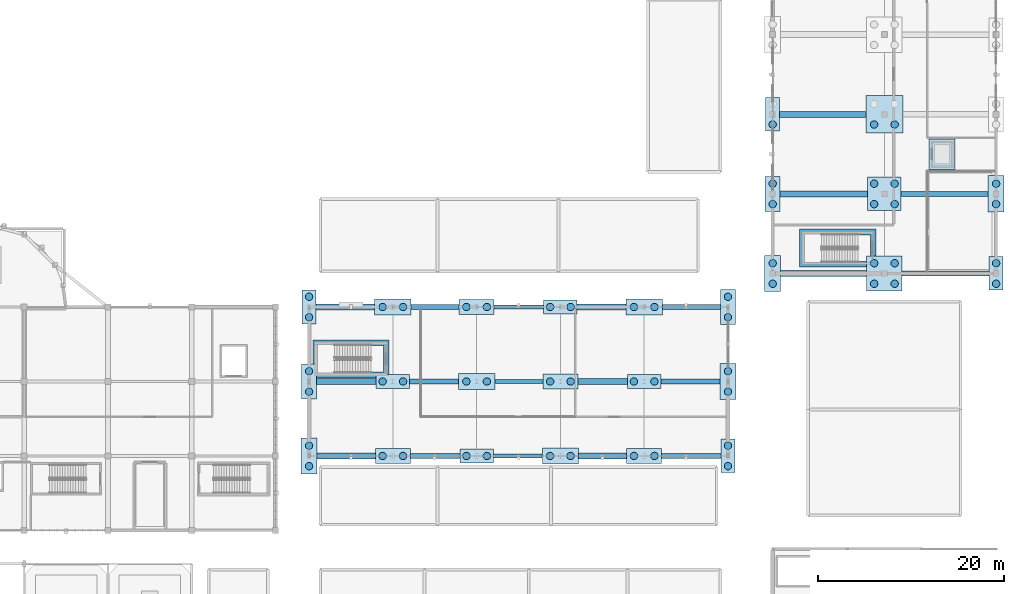
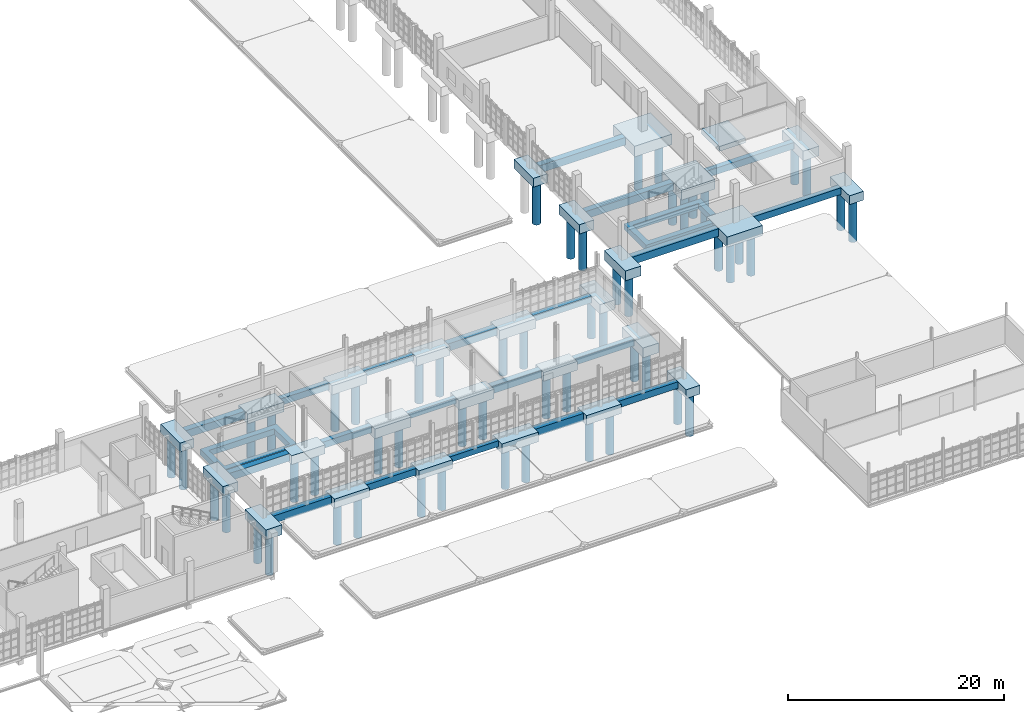
# One storey, part 1 of 125: 55 piles, 49 footings.
"""IFC4 building model written with IfcOpenShell, lengths in metres."""

from ifc_helpers import new_model, si_unit, direction, frame, origin, origin_2d, place, context, subcontext, project, spatial, polyline, rectangle, circle, outline, extrude, material, material_profile, profile_set, type_object, element, save


model = new_model("IFC4")

# Units and contexts
model_context = context("Model", 3, precision=1e-05, world=origin(), true_north=direction((0.0, 1.0)))
body_context = subcontext(model_context, "Body", "Model", "MODEL_VIEW")
ifc_project = project(units=[si_unit("LENGTHUNIT", "METRE"), si_unit("AREAUNIT", "SQUARE_METRE"), si_unit("VOLUMEUNIT", "CUBIC_METRE"), si_unit("PLANEANGLEUNIT", "RADIAN"), si_unit("MASSUNIT", "GRAM", prefix="KILO")], contexts=[model_context])

# Site, building, storey
site_placement = place(None, origin())
site = spatial("IfcSite", under=ifc_project, at=site_placement, CompositionType="ELEMENT")
building_placement = place(site_placement, origin())
building = spatial("IfcBuilding", under=site, at=building_placement, Name="Serraforn Aerial Cableway Station", CompositionType="ELEMENT")
storey_placement = place(building_placement, frame((0.0, 0.0, 4.5)))
storey = spatial("IfcBuildingStorey", under=building, at=storey_placement, Name="L01", CompositionType="ELEMENT", Elevation=4.5)

# Footings
ifc_material = material(Name="Concrete C35/45", Category="concrete")
footing_type_1 = type_object("IfcFootingType", Name="FT-FB-450x650", PredefinedType="FOOTING_BEAM", material=ifc_material)
footing_1_placement = place(storey_placement, frame((0.0, 0.0, -0.64990234375)))
element("IfcFooting", 1, at=footing_1_placement, inside=storey, type_object=footing_type_1, Name="Footing Tie Beam EL Y=26.0 #3", PredefinedType="FOOTING_BEAM", context=body_context, shape_type="SweptSolid", body=[
    extrude(outline(polyline([(119.2451171875, 26.22509765625), (119.2451171875, 25.77490234375), (114.0048828125, 25.77490234375), (114.0048828125, 26.22509765625), (119.2451171875, 26.22509765625)])), origin(), (0.0, 0.0, 1.0), 0.64990234375),
])
footing_2_placement = place(storey_placement, frame((0.0, 0.0, -0.64990234375)))
element("IfcFooting", 2, at=footing_2_placement, inside=storey, type_object=footing_type_1, Name="Footing Tie Beam EL Y=34.0 #3", PredefinedType="FOOTING_BEAM", context=body_context, shape_type="SweptSolid", body=[
    extrude(outline(polyline([(119.320068359375, 34.22509765625), (119.320068359375, 33.77490234375), (114.155029296875, 33.77490234375), (114.155029296875, 34.22509765625), (119.320068359375, 34.22509765625)])), origin(), (0.0, 0.0, 1.0), 0.64990234375),
])
footing_3_placement = place(storey_placement, frame((0.0, 0.0, -0.64990234375)))
element("IfcFooting", 3, at=footing_3_placement, inside=storey, type_object=footing_type_1, Name="Footing Tie Beam EL Y=42.0 #3", PredefinedType="FOOTING_BEAM", context=body_context, shape_type="SweptSolid", body=[
    extrude(outline(polyline([(119.39501953125, 42.22509765625), (119.39501953125, 41.77490234375), (114.080078125, 41.77490234375), (114.080078125, 42.22509765625), (119.39501953125, 42.22509765625)])), origin(), (0.0, 0.0, 1.0), 0.64990234375),
])
footing_type_2 = type_object("IfcFootingType", Name="FT-FB-550x750", PredefinedType="FOOTING_BEAM", material=ifc_material)
footing_4_placement = place(storey_placement, frame((0.0, 0.0, -0.75)))
element("IfcFooting", 4, at=footing_4_placement, inside=storey, type_object=footing_type_2, Name="Footing Tie Beam EL Y=26.0 #2", PredefinedType="FOOTING_BEAM", context=body_context, shape_type="SweptSolid", body=[
    extrude(outline(polyline([(110.39501953125, 26.27490234375), (110.39501953125, 25.72509765625), (105.080078125, 25.72509765625), (105.080078125, 26.27490234375), (110.39501953125, 26.27490234375)])), origin(), (0.0, 0.0, 1.0), 0.75),
])
footing_5_placement = place(storey_placement, frame((0.0, 0.0, -0.75)))
element("IfcFooting", 5, at=footing_5_placement, inside=storey, type_object=footing_type_2, Name="Footing Tie Beam EL Y=26.0 #5", PredefinedType="FOOTING_BEAM", context=body_context, shape_type="SweptSolid", body=[
    extrude(outline(polyline([(138.445068359375, 26.27490234375), (138.445068359375, 25.72509765625), (132.080078125, 25.72509765625), (132.080078125, 26.27490234375), (138.445068359375, 26.27490234375)])), origin(), (0.0, 0.0, 1.0), 0.75),
])
footing_6_placement = place(storey_placement, frame((0.0, 0.0, -0.75)))
element("IfcFooting", 6, at=footing_6_placement, inside=storey, type_object=footing_type_2, Name="Footing Tie Beam EL Y=34.0 #2", PredefinedType="FOOTING_BEAM", context=body_context, shape_type="SweptSolid", body=[
    extrude(outline(polyline([(110.2451171875, 34.27490234375), (110.2451171875, 33.72509765625), (105.0048828125, 33.72509765625), (105.0048828125, 34.27490234375), (110.2451171875, 34.27490234375)])), origin(), (0.0, 0.0, 1.0), 0.75),
])
footing_7_placement = place(storey_placement, frame((0.0, 0.0, -0.75)))
element("IfcFooting", 7, at=footing_7_placement, inside=storey, type_object=footing_type_2, Name="Footing Tie Beam EL Y=34.0 #5", PredefinedType="FOOTING_BEAM", context=body_context, shape_type="SweptSolid", body=[
    extrude(outline(polyline([(138.344970703125, 34.27490234375), (138.344970703125, 33.72509765625), (132.0048828125, 33.72509765625), (132.0048828125, 34.27490234375), (138.344970703125, 34.27490234375)])), origin(), (0.0, 0.0, 1.0), 0.75),
])
footing_8_placement = place(storey_placement, frame((0.0, 0.0, -0.75)))
element("IfcFooting", 8, at=footing_8_placement, inside=storey, type_object=footing_type_2, Name="Footing Tie Beam EL Y=42.0 #2", PredefinedType="FOOTING_BEAM", context=body_context, shape_type="SweptSolid", body=[
    extrude(outline(polyline([(110.320068359375, 42.27490234375), (110.320068359375, 41.72509765625), (105.155029296875, 41.72509765625), (105.155029296875, 42.27490234375), (110.320068359375, 42.27490234375)])), origin(), (0.0, 0.0, 1.0), 0.75),
])
footing_9_placement = place(storey_placement, frame((0.0, 0.0, -0.75)))
element("IfcFooting", 9, at=footing_9_placement, inside=storey, type_object=footing_type_2, Name="Footing Tie Beam EL Y=42.0 #5", PredefinedType="FOOTING_BEAM", context=body_context, shape_type="SweptSolid", body=[
    extrude(outline(polyline([(138.39501953125, 42.27490234375), (138.39501953125, 41.72509765625), (132.155029296875, 41.72509765625), (132.155029296875, 42.27490234375), (138.39501953125, 42.27490234375)])), origin(), (0.0, 0.0, 1.0), 0.75),
])
footing_10_placement = place(storey_placement, frame((0.0, 0.0, -0.75)))
element("IfcFooting", 10, at=footing_10_placement, inside=storey, type_object=footing_type_2, Name="Footing Tie Beam EG Y=45.6 #2", PredefinedType="FOOTING_BEAM", context=body_context, shape_type="SweptSolid", body=[
    extrude(outline(polyline([(167.2451171875, 45.875), (167.2451171875, 45.324951171875), (157.905029296875, 45.324951171875), (157.905029296875, 45.875), (167.2451171875, 45.875)])), origin(), (0.0, 0.0, 1.0), 0.75),
])
footing_11_placement = place(storey_placement, frame((0.0, 0.0, -0.75)))
element("IfcFooting", 11, at=footing_11_placement, inside=storey, type_object=footing_type_2, Name="Footing Tie Beam EG Y=54.1 #2", PredefinedType="FOOTING_BEAM", context=body_context, shape_type="SweptSolid", body=[
    extrude(outline(polyline([(167.14501953125, 54.425048828125), (167.14501953125, 53.875), (157.804931640625, 53.875), (157.804931640625, 54.425048828125), (167.14501953125, 54.425048828125)])), origin(), (0.0, 0.0, 1.0), 0.75),
])
footing_type_3 = type_object("IfcFootingType", Name="FT-FB-650x850", PredefinedType="FOOTING_BEAM", material=ifc_material)
footing_12_placement = place(storey_placement, frame((0.0, 0.0, -0.85009765625)))
element("IfcFooting", 12, at=footing_12_placement, inside=storey, type_object=footing_type_3, Name="Footing Tie Beam EL Y=26.0 #1", PredefinedType="FOOTING_BEAM", context=body_context, shape_type="SweptSolid", body=[
    extrude(outline(polyline([(101.320068359375, 26.324951171875), (101.320068359375, 25.675048828125), (95.054931640625, 25.675048828125), (95.054931640625, 26.324951171875), (101.320068359375, 26.324951171875)])), origin(), (0.0, 0.0, 1.0), 0.85009765625),
])
footing_13_placement = place(storey_placement, frame((0.0, 0.0, -0.85009765625)))
element("IfcFooting", 13, at=footing_13_placement, inside=storey, type_object=footing_type_3, Name="Footing Tie Beam EL Y=26.0 #4", PredefinedType="FOOTING_BEAM", context=body_context, shape_type="SweptSolid", body=[
    extrude(outline(polyline([(128.320068359375, 26.324951171875), (128.320068359375, 25.675048828125), (123.155029296875, 25.675048828125), (123.155029296875, 26.324951171875), (128.320068359375, 26.324951171875)])), origin(), (0.0, 0.0, 1.0), 0.85009765625),
])
footing_14_placement = place(storey_placement, frame((0.0, 0.0, -0.85009765625)))
element("IfcFooting", 14, at=footing_14_placement, inside=storey, type_object=footing_type_3, Name="Footing Tie Beam EL Y=34.0 #1", PredefinedType="FOOTING_BEAM", context=body_context, shape_type="SweptSolid", body=[
    extrude(outline(polyline([(101.39501953125, 34.324951171875), (101.39501953125, 33.675048828125), (95.0048828125, 33.675048828125), (95.0048828125, 34.324951171875), (101.39501953125, 34.324951171875)])), origin(), (0.0, 0.0, 1.0), 0.85009765625),
])
footing_15_placement = place(storey_placement, frame((0.0, 0.0, -0.85009765625)))
element("IfcFooting", 15, at=footing_15_placement, inside=storey, type_object=footing_type_3, Name="Footing Tie Beam EL Y=34.0 #4", PredefinedType="FOOTING_BEAM", context=body_context, shape_type="SweptSolid", body=[
    extrude(outline(polyline([(128.39501953125, 34.324951171875), (128.39501953125, 33.675048828125), (123.080078125, 33.675048828125), (123.080078125, 34.324951171875), (128.39501953125, 34.324951171875)])), origin(), (0.0, 0.0, 1.0), 0.85009765625),
])
footing_16_placement = place(storey_placement, frame((0.0, 0.0, -0.85009765625)))
element("IfcFooting", 16, at=footing_16_placement, inside=storey, type_object=footing_type_3, Name="Footing Tie Beam EL Y=42.0 #1", PredefinedType="FOOTING_BEAM", context=body_context, shape_type="SweptSolid", body=[
    extrude(outline(polyline([(101.2451171875, 42.324951171875), (101.2451171875, 41.675048828125), (94.955078125, 41.675048828125), (94.955078125, 42.324951171875), (101.2451171875, 42.324951171875)])), origin(), (0.0, 0.0, 1.0), 0.85009765625),
])
footing_17_placement = place(storey_placement, frame((0.0, 0.0, -0.85009765625)))
element("IfcFooting", 17, at=footing_17_placement, inside=storey, type_object=footing_type_3, Name="Footing Tie Beam EL Y=42.0 #4", PredefinedType="FOOTING_BEAM", context=body_context, shape_type="SweptSolid", body=[
    extrude(outline(polyline([(128.2451171875, 42.324951171875), (128.2451171875, 41.675048828125), (123.0048828125, 41.675048828125), (123.0048828125, 42.324951171875), (128.2451171875, 42.324951171875)])), origin(), (0.0, 0.0, 1.0), 0.85009765625),
])
footing_18_placement = place(storey_placement, frame((0.0, 0.0, -0.85009765625)))
element("IfcFooting", 18, at=footing_18_placement, inside=storey, type_object=footing_type_3, Name="Footing Tie Beam EG Y=45.6 #1", PredefinedType="FOOTING_BEAM", context=body_context, shape_type="SweptSolid", body=[
    extrude(outline(polyline([(154.094970703125, 45.925048828125), (154.094970703125, 45.27490234375), (144.85498046875, 45.27490234375), (144.85498046875, 45.925048828125), (154.094970703125, 45.925048828125)])), origin(), (0.0, 0.0, 1.0), 0.85009765625),
])
footing_19_placement = place(storey_placement, frame((0.0, 0.0, -0.85009765625)))
element("IfcFooting", 19, at=footing_19_placement, inside=storey, type_object=footing_type_3, Name="Footing Tie Beam EG Y=54.1 #1", PredefinedType="FOOTING_BEAM", context=body_context, shape_type="SweptSolid", body=[
    extrude(outline(polyline([(154.195068359375, 54.47509765625), (154.195068359375, 53.824951171875), (144.804931640625, 53.824951171875), (144.804931640625, 54.47509765625), (154.195068359375, 54.47509765625)])), origin(), (0.0, 0.0, 1.0), 0.85009765625),
])
footing_20_placement = place(storey_placement, frame((0.0, 0.0, -0.85009765625)))
element("IfcFooting", 20, at=footing_20_placement, inside=storey, type_object=footing_type_3, Name="Footing Tie Beam EG Y=62.7 #1", PredefinedType="FOOTING_BEAM", context=body_context, shape_type="SweptSolid", body=[
    extrude(outline(polyline([(153.9951171875, 63.02490234375), (153.9951171875, 62.375), (144.7548828125, 62.375), (144.7548828125, 63.02490234375), (153.9951171875, 63.02490234375)])), origin(), (0.0, 0.0, 1.0), 0.85009765625),
])
footing_type_4 = type_object("IfcFootingType", Name="FT-PC2-150x360", PredefinedType="PILE_CAP", material=ifc_material)
for number, where, z_axis, x_axis, name in (
    (21, (94.199951171875, 42.0, -1.0), (0.0, 0.0, 1.0), (1.0, 0.0, 0.0), "Pile Cap EL-13-F"),
    (22, (139.199951171875, 26.0, -1.0), (0.0, 0.0, 1.0), (1.0, 0.0, 0.0), "Pile Cap EL-18-D1"),
    (23, (144.0, 62.699951171875, -1.0), (0.0, 0.0, 1.0), (1.0, 0.0, 0.0), "Pile Cap EG-19-H"),
    (24, (168.0, 45.60009765625, -1.0), (0.0, 0.0, 1.0), (1.0, 0.0, 0.0), "Pile Cap EG-22-F2"),
):
    element("IfcFooting", number, at=place(storey_placement, frame(where, z_axis=z_axis, x_axis=x_axis)), inside=storey, type_object=footing_type_4, Name=name, PredefinedType="PILE_CAP", context=body_context, shape_type="SweptSolid", body=[
        extrude(rectangle(XDim=1.5, YDim=3.60009765625, at=origin_2d()), origin(), (0.0, 0.0, 1.0), 1.0),
    ])
footing_type_5 = type_object("IfcFootingType", Name="FT-PC2-160x375", PredefinedType="PILE_CAP", material=ifc_material)
for number, where, z_axis, x_axis, name in (
    (25, (94.199951171875, 34.0, -1.0498046875), (0.0, 0.0, 1.0), (1.0, 0.0, 0.0), "Pile Cap EL-13-D2"),
    (26, (139.199951171875, 42.0, -1.0498046875), (0.0, 0.0, 1.0), (1.0, 0.0, 0.0), "Pile Cap EL-18-F"),
    (27, (144.0, 54.14990234375, -1.0498046875), (0.0, 0.0, 1.0), (1.0, 0.0, 0.0), "Pile Cap EG-19-G"),
):
    element("IfcFooting", number, at=place(storey_placement, frame(where, z_axis=z_axis, x_axis=x_axis)), inside=storey, type_object=footing_type_5, Name=name, PredefinedType="PILE_CAP", context=body_context, shape_type="SweptSolid", body=[
        extrude(rectangle(XDim=1.60009765625, YDim=3.75, at=origin_2d()), origin(), (0.0, 0.0, 1.0), 1.050048828125),
    ])
footing_type_6 = type_object("IfcFootingType", Name="FT-PC2-170x390", PredefinedType="PILE_CAP", material=ifc_material)
for number, where, z_axis, x_axis, name in (
    (28, (94.199951171875, 26.0, -1.10009765625), (0.0, 0.0, 1.0), (1.0, 0.0, 0.0), "Pile Cap EL-13-D1"),
    (29, (139.199951171875, 34.0, -1.10009765625), (0.0, 0.0, 1.0), (1.0, 0.0, 0.0), "Pile Cap EL-18-D2"),
    (30, (144.0, 45.60009765625, -1.10009765625), (0.0, 0.0, 1.0), (1.0, 0.0, 0.0), "Pile Cap EG-19-F2"),
    (31, (168.0, 54.14990234375, -1.10009765625), (0.0, 0.0, 1.0), (1.0, 0.0, 0.0), "Pile Cap EG-22-G"),
):
    element("IfcFooting", number, at=place(storey_placement, frame(where, z_axis=z_axis, x_axis=x_axis)), inside=storey, type_object=footing_type_6, Name=name, PredefinedType="PILE_CAP", context=body_context, shape_type="SweptSolid", body=[
        extrude(rectangle(XDim=1.699951171875, YDim=3.89990234375, at=origin_2d()), origin(), (0.0, 0.0, 1.0), 1.10009765625),
    ])
footing_type_7 = type_object("IfcFootingType", Name="FT-PC2-360x150", PredefinedType="PILE_CAP", material=ifc_material)
for number, where, z_axis, x_axis, name in (
    (32, (103.199951171875, 34.0, -1.0), (0.0, 0.0, 1.0), (1.0, 0.0, 0.0), "Pile Cap EL-14-D2"),
    (33, (112.199951171875, 26.0, -1.0), (0.0, 0.0, 1.0), (1.0, 0.0, 0.0), "Pile Cap EL-15-D1"),
    (34, (121.199951171875, 42.0, -1.0), (0.0, 0.0, 1.0), (1.0, 0.0, 0.0), "Pile Cap EL-16-F"),
    (35, (130.199951171875, 34.0, -1.0), (0.0, 0.0, 1.0), (1.0, 0.0, 0.0), "Pile Cap EL-17-D2"),
):
    element("IfcFooting", number, at=place(storey_placement, frame(where, z_axis=z_axis, x_axis=x_axis)), inside=storey, type_object=footing_type_7, Name=name, PredefinedType="PILE_CAP", context=body_context, shape_type="SweptSolid", body=[
        extrude(rectangle(XDim=3.60009765625, YDim=1.5, at=origin_2d()), origin(), (0.0, 0.0, 1.0), 1.0),
    ])
footing_type_8 = type_object("IfcFootingType", Name="FT-PC2-375x160", PredefinedType="PILE_CAP", material=ifc_material)
for number, where, z_axis, x_axis, name in (
    (36, (103.199951171875, 26.0, -1.0498046875), (0.0, 0.0, 1.0), (1.0, 0.0, 0.0), "Pile Cap EL-14-D1"),
    (37, (112.199951171875, 42.0, -1.0498046875), (0.0, 0.0, 1.0), (1.0, 0.0, 0.0), "Pile Cap EL-15-F"),
    (38, (121.199951171875, 34.0, -1.0498046875), (0.0, 0.0, 1.0), (1.0, 0.0, 0.0), "Pile Cap EL-16-D2"),
    (39, (130.199951171875, 26.0, -1.0498046875), (0.0, 0.0, 1.0), (1.0, 0.0, 0.0), "Pile Cap EL-17-D1"),
):
    element("IfcFooting", number, at=place(storey_placement, frame(where, z_axis=z_axis, x_axis=x_axis)), inside=storey, type_object=footing_type_8, Name=name, PredefinedType="PILE_CAP", context=body_context, shape_type="SweptSolid", body=[
        extrude(rectangle(XDim=3.75, YDim=1.60009765625, at=origin_2d()), origin(), (0.0, 0.0, 1.0), 1.050048828125),
    ])
footing_type_9 = type_object("IfcFootingType", Name="FT-PC2-390x170", PredefinedType="PILE_CAP", material=ifc_material)
for number, where, z_axis, x_axis, name in (
    (40, (103.199951171875, 42.0, -1.10009765625), (0.0, 0.0, 1.0), (1.0, 0.0, 0.0), "Pile Cap EL-14-F"),
    (41, (112.199951171875, 34.0, -1.10009765625), (0.0, 0.0, 1.0), (1.0, 0.0, 0.0), "Pile Cap EL-15-D2"),
    (42, (121.199951171875, 26.0, -1.10009765625), (0.0, 0.0, 1.0), (1.0, 0.0, 0.0), "Pile Cap EL-16-D1"),
    (43, (130.199951171875, 42.0, -1.10009765625), (0.0, 0.0, 1.0), (1.0, 0.0, 0.0), "Pile Cap EL-17-F"),
):
    element("IfcFooting", number, at=place(storey_placement, frame(where, z_axis=z_axis, x_axis=x_axis)), inside=storey, type_object=footing_type_9, Name=name, PredefinedType="PILE_CAP", context=body_context, shape_type="SweptSolid", body=[
        extrude(rectangle(XDim=3.89990234375, YDim=1.699951171875, at=origin_2d()), origin(), (0.0, 0.0, 1.0), 1.10009765625),
    ])
footing_type_10 = type_object("IfcFootingType", Name="FT-PC4-360", PredefinedType="PILE_CAP", material=ifc_material)
footing_21_placement = place(storey_placement, frame((156.0, 54.14990234375, -1.10009765625), z_axis=(0.0, 0.0, 1.0), x_axis=(1.0, 0.0, 0.0)))
element("IfcFooting", 44, at=footing_21_placement, inside=storey, type_object=footing_type_10, Name="Pile Cap EG-20B-G", PredefinedType="PILE_CAP", context=body_context, shape_type="SweptSolid", body=[
    extrude(rectangle(XDim=3.60009765625, YDim=3.60009765625, at=origin_2d()), origin(), (0.0, 0.0, 1.0), 1.10009765625),
])
footing_type_11 = type_object("IfcFootingType", Name="FT-PC4-380", PredefinedType="PILE_CAP", material=ifc_material)
footing_22_placement = place(storey_placement, frame((156.0, 45.60009765625, -1.14990234375), z_axis=(0.0, 0.0, 1.0), x_axis=(1.0, 0.0, 0.0)))
element("IfcFooting", 45, at=footing_22_placement, inside=storey, type_object=footing_type_11, Name="Pile Cap EG-20B-F2", PredefinedType="PILE_CAP", context=body_context, shape_type="SweptSolid", body=[
    extrude(rectangle(XDim=3.800048828125, YDim=3.800048828125, at=origin_2d()), origin(), (0.0, 0.0, 1.0), 1.14990234375),
])
footing_type_12 = type_object("IfcFootingType", Name="FT-PC4-400", PredefinedType="PILE_CAP", material=ifc_material)
footing_23_placement = place(storey_placement, frame((156.0, 62.699951171875, -1.2001953125), z_axis=(0.0, 0.0, 1.0), x_axis=(1.0, 0.0, 0.0)))
element("IfcFooting", 46, at=footing_23_placement, inside=storey, type_object=footing_type_12, Name="Pile Cap EG-20B-H", PredefinedType="PILE_CAP", context=body_context, shape_type="SweptSolid", body=[
    extrude(rectangle(XDim=4.0, YDim=4.0, at=origin_2d()), origin(), (0.0, 0.0, 1.0), 1.199951171875),
])
footing_type_13 = type_object("IfcFootingType", Name="FT-SF-750x550", PredefinedType="STRIP_FOOTING", material=ifc_material)
footing_24_placement = place(storey_placement, frame((0.0, 0.0, -0.550048828125)))
element("IfcFooting", 47, at=footing_24_placement, inside=storey, type_object=footing_type_13, Name="Lift Pit Foundation Mat LF-06", PredefinedType="STRIP_FOOTING", context=body_context, shape_type="SweptSolid", body=[
    extrude(outline(polyline([(160.800048828125, 56.75), (160.800048828125, 60.050048828125), (163.60009765625, 60.050048828125), (163.60009765625, 56.75), (160.800048828125, 56.75)])), origin(), (0.0, 0.0, 1.0), 0.550048828125),
])
footing_type_14 = type_object("IfcFootingType", Name="FT-SF-900x650", PredefinedType="STRIP_FOOTING", material=ifc_material)
footing_25_placement = place(storey_placement, frame((0.0, 0.0, -0.64990234375)))
element("IfcFooting", 48, at=footing_25_placement, inside=storey, type_object=footing_type_14, Name="Stair Core Strip Footing ST-08", PredefinedType="STRIP_FOOTING", context=body_context, shape_type="SweptSolid", body=[
    extrude(outline(polyline([(95.0048828125, 34.39990234375), (95.0048828125, 35.8798828125), (94.60009765625, 35.8798828125), (94.60009765625, 38.4599609375), (102.800048828125, 38.4599609375), (102.800048828125, 34.7548828125), (101.39501953125, 34.7548828125), (101.39501953125, 34.39990234375), (95.0048828125, 34.39990234375)]), holes=[polyline([(102.199951171875, 35.0), (102.199951171875, 37.860107421875), (95.199951171875, 37.860107421875), (95.199951171875, 35.0), (102.199951171875, 35.0)])]), origin(), (0.0, 0.0, 1.0), 0.64990234375),
])
footing_26_placement = place(storey_placement, frame((0.0, 0.0, -0.64990234375)))
element("IfcFooting", 49, at=footing_26_placement, inside=storey, type_object=footing_type_14, Name="Stair Core Strip Footing ST-10", PredefinedType="STRIP_FOOTING", context=body_context, shape_type="SweptSolid", body=[
    extrude(outline(polyline([(146.89990234375, 46.300048828125), (146.89990234375, 50.360107421875), (155.10009765625, 50.360107421875), (155.10009765625, 47.5048828125), (154.5, 47.5048828125), (154.5, 49.760009765625), (147.5, 49.760009765625), (147.5, 46.89990234375), (154.094970703125, 46.89990234375), (154.094970703125, 46.300048828125), (146.89990234375, 46.300048828125)])), origin(), (0.0, 0.0, 1.0), 0.64990234375),
])

# Piles
ifc_material_profile_1 = material_profile(ifc_material, circle(Radius=0.39990234375, at=origin_2d()), Name="BORED PILE D800")
ifc_profile_set_1 = profile_set([ifc_material_profile_1], Name="Concrete C35/45")
pile_type_1 = type_object("IfcPileType", Name="PL-BORED-800A", PredefinedType="BORED", material=ifc_profile_set_1)
for number, where, z_axis, x_axis, name in (
    (50, (94.199951171875, 24.89990234375, -1.0), (0.0, 0.0, -1.0), (1.0, 0.0, 0.0), "Bored Pile EL-13-D1-1"),
    (51, (94.199951171875, 27.10009765625, -1.0), (0.0, 0.0, -1.0), (1.0, 0.0, 0.0), "Bored Pile EL-13-D1-2"),
):
    element("IfcPile", number, at=place(storey_placement, frame(where, z_axis=z_axis, x_axis=x_axis)), inside=storey, type_object=pile_type_1, Name=name, PredefinedType="BORED", context=body_context, shape_type="SweptSolid", body=[
        extrude(circle(Radius=0.39990234375, at=origin_2d()), origin(), (0.0, 0.0, 1.0), 4.699951171875),
    ])
for number, where, z_axis, x_axis, name in (
    (52, (111.10009765625, 42.0, -0.949951171875), (0.0, 0.0, -1.0), (1.0, 0.0, 0.0), "Bored Pile EL-15-F-1"),
    (53, (113.300048828125, 42.0, -0.949951171875), (0.0, 0.0, -1.0), (1.0, 0.0, 0.0), "Bored Pile EL-15-F-2"),
    (54, (120.10009765625, 34.0, -0.949951171875), (0.0, 0.0, -1.0), (1.0, 0.0, 0.0), "Bored Pile EL-16-D2-1"),
    (55, (122.300048828125, 34.0, -0.949951171875), (0.0, 0.0, -1.0), (1.0, 0.0, 0.0), "Bored Pile EL-16-D2-2"),
    (56, (129.10009765625, 26.0, -0.949951171875), (0.0, 0.0, -1.0), (1.0, 0.0, 0.0), "Bored Pile EL-17-D1-1"),
    (57, (131.300048828125, 26.0, -0.949951171875), (0.0, 0.0, -1.0), (1.0, 0.0, 0.0), "Bored Pile EL-17-D1-2"),
):
    element("IfcPile", number, at=place(storey_placement, frame(where, z_axis=z_axis, x_axis=x_axis)), inside=storey, type_object=pile_type_1, Name=name, PredefinedType="BORED", context=body_context, shape_type="SweptSolid", body=[
        extrude(circle(Radius=0.39990234375, at=origin_2d()), origin(), (0.0, 0.0, 1.0), 4.75),
    ])
for number, where, z_axis, x_axis, name in (
    (58, (144.0, 44.5, -1.0), (0.0, 0.0, -1.0), (1.0, 0.0, 0.0), "Bored Pile EG-19-F2-1"),
    (59, (144.0, 46.699951171875, -1.0), (0.0, 0.0, -1.0), (1.0, 0.0, 0.0), "Bored Pile EG-19-F2-2"),
):
    element("IfcPile", number, at=place(storey_placement, frame(where, z_axis=z_axis, x_axis=x_axis)), inside=storey, type_object=pile_type_1, Name=name, PredefinedType="BORED", context=body_context, shape_type="SweptSolid", body=[
        extrude(circle(Radius=0.39990234375, at=origin_2d()), origin(), (0.0, 0.0, 1.0), 4.699951171875),
    ])
for number, where, z_axis, x_axis, name in (
    (60, (154.89990234375, 61.60009765625, -1.10009765625), (0.0, 0.0, -1.0), (1.0, 0.0, 0.0), "Bored Pile EG-20B-H-1"),
    (61, (157.10009765625, 61.60009765625, -1.10009765625), (0.0, 0.0, -1.0), (1.0, 0.0, 0.0), "Bored Pile EG-20B-H-2"),
):
    element("IfcPile", number, at=place(storey_placement, frame(where, z_axis=z_axis, x_axis=x_axis)), inside=storey, type_object=pile_type_1, Name=name, PredefinedType="BORED", context=body_context, shape_type="SweptSolid", body=[
        extrude(circle(Radius=0.39990234375, at=origin_2d()), origin(), (0.0, 0.0, 1.0), 4.60009765625),
    ])
ifc_material_profile_2 = material_profile(ifc_material, circle(Radius=0.39990234375, at=origin_2d()), Name="BORED PILE D800")
ifc_profile_set_2 = profile_set([ifc_material_profile_2], Name="Concrete C35/45")
pile_type_2 = type_object("IfcPileType", Name="PL-BORED-800B", PredefinedType="BORED", material=ifc_profile_set_2)
for number, where, z_axis, x_axis, name in (
    (62, (94.199951171875, 32.89990234375, -0.949951171875), (0.0, 0.0, -1.0), (1.0, 0.0, 0.0), "Bored Pile EL-13-D2-1"),
    (63, (94.199951171875, 35.10009765625, -0.949951171875), (0.0, 0.0, -1.0), (1.0, 0.0, 0.0), "Bored Pile EL-13-D2-2"),
    (64, (102.10009765625, 26.0, -0.949951171875), (0.0, 0.0, -1.0), (1.0, 0.0, 0.0), "Bored Pile EL-14-D1-1"),
    (65, (104.300048828125, 26.0, -0.949951171875), (0.0, 0.0, -1.0), (1.0, 0.0, 0.0), "Bored Pile EL-14-D1-2"),
):
    element("IfcPile", number, at=place(storey_placement, frame(where, z_axis=z_axis, x_axis=x_axis)), inside=storey, type_object=pile_type_2, Name=name, PredefinedType="BORED", context=body_context, shape_type="SweptSolid", body=[
        extrude(circle(Radius=0.39990234375, at=origin_2d()), origin(), (0.0, 0.0, 1.0), 4.75),
    ])
for number, where, z_axis, x_axis, name in (
    (66, (120.10009765625, 42.0, -0.89990234375), (0.0, 0.0, -1.0), (1.0, 0.0, 0.0), "Bored Pile EL-16-F-1"),
    (67, (122.300048828125, 42.0, -0.89990234375), (0.0, 0.0, -1.0), (1.0, 0.0, 0.0), "Bored Pile EL-16-F-2"),
    (68, (129.10009765625, 34.0, -0.89990234375), (0.0, 0.0, -1.0), (1.0, 0.0, 0.0), "Bored Pile EL-17-D2-1"),
    (69, (131.300048828125, 34.0, -0.89990234375), (0.0, 0.0, -1.0), (1.0, 0.0, 0.0), "Bored Pile EL-17-D2-2"),
    (70, (139.199951171875, 24.89990234375, -0.89990234375), (0.0, 0.0, -1.0), (1.0, 0.0, 0.0), "Bored Pile EL-18-D1-1"),
    (71, (139.199951171875, 27.10009765625, -0.89990234375), (0.0, 0.0, -1.0), (1.0, 0.0, 0.0), "Bored Pile EL-18-D1-2"),
):
    element("IfcPile", number, at=place(storey_placement, frame(where, z_axis=z_axis, x_axis=x_axis)), inside=storey, type_object=pile_type_2, Name=name, PredefinedType="BORED", context=body_context, shape_type="SweptSolid", body=[
        extrude(circle(Radius=0.39990234375, at=origin_2d()), origin(), (0.0, 0.0, 1.0), 4.800048828125),
    ])
for number, where, z_axis, x_axis, name in (
    (72, (144.0, 53.050048828125, -0.949951171875), (0.0, 0.0, -1.0), (1.0, 0.0, 0.0), "Bored Pile EG-19-G-1"),
    (73, (144.0, 55.25, -0.949951171875), (0.0, 0.0, -1.0), (1.0, 0.0, 0.0), "Bored Pile EG-19-G-2"),
):
    element("IfcPile", number, at=place(storey_placement, frame(where, z_axis=z_axis, x_axis=x_axis)), inside=storey, type_object=pile_type_2, Name=name, PredefinedType="BORED", context=body_context, shape_type="SweptSolid", body=[
        extrude(circle(Radius=0.39990234375, at=origin_2d()), origin(), (0.0, 0.0, 1.0), 4.75),
    ])
ifc_material_profile_3 = material_profile(ifc_material, circle(Radius=0.39990234375, at=origin_2d()), Name="BORED PILE D800")
ifc_profile_set_3 = profile_set([ifc_material_profile_3], Name="Concrete C35/45")
pile_type_3 = type_object("IfcPileType", Name="PL-BORED-800C", PredefinedType="BORED", material=ifc_profile_set_3)
for number, where, z_axis, x_axis, name in (
    (74, (94.199951171875, 40.89990234375, -0.89990234375), (0.0, 0.0, -1.0), (1.0, 0.0, 0.0), "Bored Pile EL-13-F-1"),
    (75, (94.199951171875, 43.10009765625, -0.89990234375), (0.0, 0.0, -1.0), (1.0, 0.0, 0.0), "Bored Pile EL-13-F-2"),
    (76, (102.10009765625, 34.0, -0.89990234375), (0.0, 0.0, -1.0), (1.0, 0.0, 0.0), "Bored Pile EL-14-D2-1"),
    (77, (104.300048828125, 34.0, -0.89990234375), (0.0, 0.0, -1.0), (1.0, 0.0, 0.0), "Bored Pile EL-14-D2-2"),
    (78, (111.10009765625, 26.0, -0.89990234375), (0.0, 0.0, -1.0), (1.0, 0.0, 0.0), "Bored Pile EL-15-D1-1"),
    (79, (113.300048828125, 26.0, -0.89990234375), (0.0, 0.0, -1.0), (1.0, 0.0, 0.0), "Bored Pile EL-15-D1-2"),
):
    element("IfcPile", number, at=place(storey_placement, frame(where, z_axis=z_axis, x_axis=x_axis)), inside=storey, type_object=pile_type_3, Name=name, PredefinedType="BORED", context=body_context, shape_type="SweptSolid", body=[
        extrude(circle(Radius=0.39990234375, at=origin_2d()), origin(), (0.0, 0.0, 1.0), 4.800048828125),
    ])
for number, where, z_axis, x_axis, name in (
    (80, (129.10009765625, 42.0, -1.0), (0.0, 0.0, -1.0), (1.0, 0.0, 0.0), "Bored Pile EL-17-F-1"),
    (81, (131.300048828125, 42.0, -1.0), (0.0, 0.0, -1.0), (1.0, 0.0, 0.0), "Bored Pile EL-17-F-2"),
    (82, (139.199951171875, 32.89990234375, -1.0), (0.0, 0.0, -1.0), (1.0, 0.0, 0.0), "Bored Pile EL-18-D2-1"),
    (83, (139.199951171875, 35.10009765625, -1.0), (0.0, 0.0, -1.0), (1.0, 0.0, 0.0), "Bored Pile EL-18-D2-2"),
):
    element("IfcPile", number, at=place(storey_placement, frame(where, z_axis=z_axis, x_axis=x_axis)), inside=storey, type_object=pile_type_3, Name=name, PredefinedType="BORED", context=body_context, shape_type="SweptSolid", body=[
        extrude(circle(Radius=0.39990234375, at=origin_2d()), origin(), (0.0, 0.0, 1.0), 4.699951171875),
    ])
pile_placement = place(storey_placement, frame((144.0, 61.60009765625, -0.89990234375), z_axis=(0.0, 0.0, -1.0), x_axis=(1.0, 0.0, 0.0)))
element("IfcPile", 84, at=pile_placement, inside=storey, type_object=pile_type_3, Name="Bored Pile EG-19-H-1", PredefinedType="BORED", context=body_context, shape_type="SweptSolid", body=[
    extrude(circle(Radius=0.39990234375, at=origin_2d()), origin(), (0.0, 0.0, 1.0), 4.800048828125),
])
for number, where, z_axis, x_axis, name in (
    (85, (154.89990234375, 44.5, -1.050048828125), (0.0, 0.0, -1.0), (1.0, 0.0, 0.0), "Bored Pile EG-20B-F2-1"),
    (86, (157.10009765625, 44.5, -1.050048828125), (0.0, 0.0, -1.0), (1.0, 0.0, 0.0), "Bored Pile EG-20B-F2-2"),
    (87, (154.89990234375, 46.699951171875, -1.050048828125), (0.0, 0.0, -1.0), (1.0, 0.0, 0.0), "Bored Pile EG-20B-F2-3"),
    (88, (157.10009765625, 46.699951171875, -1.050048828125), (0.0, 0.0, -1.0), (1.0, 0.0, 0.0), "Bored Pile EG-20B-F2-4"),
):
    element("IfcPile", number, at=place(storey_placement, frame(where, z_axis=z_axis, x_axis=x_axis)), inside=storey, type_object=pile_type_3, Name=name, PredefinedType="BORED", context=body_context, shape_type="SweptSolid", body=[
        extrude(circle(Radius=0.39990234375, at=origin_2d()), origin(), (0.0, 0.0, 1.0), 4.64990234375),
    ])
for number, where, z_axis, x_axis, name in (
    (89, (168.0, 44.5, -0.89990234375), (0.0, 0.0, -1.0), (1.0, 0.0, 0.0), "Bored Pile EG-22-F2-1"),
    (90, (168.0, 46.699951171875, -0.89990234375), (0.0, 0.0, -1.0), (1.0, 0.0, 0.0), "Bored Pile EG-22-F2-2"),
):
    element("IfcPile", number, at=place(storey_placement, frame(where, z_axis=z_axis, x_axis=x_axis)), inside=storey, type_object=pile_type_3, Name=name, PredefinedType="BORED", context=body_context, shape_type="SweptSolid", body=[
        extrude(circle(Radius=0.39990234375, at=origin_2d()), origin(), (0.0, 0.0, 1.0), 4.800048828125),
    ])
ifc_material_profile_4 = material_profile(ifc_material, circle(Radius=0.39990234375, at=origin_2d()), Name="BORED PILE D800")
ifc_profile_set_4 = profile_set([ifc_material_profile_4], Name="Concrete C35/45")
pile_type_4 = type_object("IfcPileType", Name="PL-BORED-800D", PredefinedType="BORED", material=ifc_profile_set_4)
for number, where, z_axis, x_axis, name in (
    (91, (102.10009765625, 42.0, -1.0), (0.0, 0.0, -1.0), (1.0, 0.0, 0.0), "Bored Pile EL-14-F-1"),
    (92, (104.300048828125, 42.0, -1.0), (0.0, 0.0, -1.0), (1.0, 0.0, 0.0), "Bored Pile EL-14-F-2"),
    (93, (111.10009765625, 34.0, -1.0), (0.0, 0.0, -1.0), (1.0, 0.0, 0.0), "Bored Pile EL-15-D2-1"),
    (94, (113.300048828125, 34.0, -1.0), (0.0, 0.0, -1.0), (1.0, 0.0, 0.0), "Bored Pile EL-15-D2-2"),
    (95, (120.10009765625, 26.0, -1.0), (0.0, 0.0, -1.0), (1.0, 0.0, 0.0), "Bored Pile EL-16-D1-1"),
    (96, (122.300048828125, 26.0, -1.0), (0.0, 0.0, -1.0), (1.0, 0.0, 0.0), "Bored Pile EL-16-D1-2"),
):
    element("IfcPile", number, at=place(storey_placement, frame(where, z_axis=z_axis, x_axis=x_axis)), inside=storey, type_object=pile_type_4, Name=name, PredefinedType="BORED", context=body_context, shape_type="SweptSolid", body=[
        extrude(circle(Radius=0.39990234375, at=origin_2d()), origin(), (0.0, 0.0, 1.0), 4.699951171875),
    ])
for number, where, z_axis, x_axis, name in (
    (97, (139.199951171875, 40.89990234375, -0.949951171875), (0.0, 0.0, -1.0), (1.0, 0.0, 0.0), "Bored Pile EL-18-F-1"),
    (98, (139.199951171875, 43.10009765625, -0.949951171875), (0.0, 0.0, -1.0), (1.0, 0.0, 0.0), "Bored Pile EL-18-F-2"),
):
    element("IfcPile", number, at=place(storey_placement, frame(where, z_axis=z_axis, x_axis=x_axis)), inside=storey, type_object=pile_type_4, Name=name, PredefinedType="BORED", context=body_context, shape_type="SweptSolid", body=[
        extrude(circle(Radius=0.39990234375, at=origin_2d()), origin(), (0.0, 0.0, 1.0), 4.75),
    ])
for number, where, z_axis, x_axis, name in (
    (99, (154.89990234375, 53.050048828125, -1.0), (0.0, 0.0, -1.0), (1.0, 0.0, 0.0), "Bored Pile EG-20B-G-1"),
    (100, (157.10009765625, 53.050048828125, -1.0), (0.0, 0.0, -1.0), (1.0, 0.0, 0.0), "Bored Pile EG-20B-G-2"),
    (101, (154.89990234375, 55.25, -1.0), (0.0, 0.0, -1.0), (1.0, 0.0, 0.0), "Bored Pile EG-20B-G-3"),
    (102, (157.10009765625, 55.25, -1.0), (0.0, 0.0, -1.0), (1.0, 0.0, 0.0), "Bored Pile EG-20B-G-4"),
    (103, (168.0, 53.050048828125, -1.0), (0.0, 0.0, -1.0), (1.0, 0.0, 0.0), "Bored Pile EG-22-G-1"),
    (104, (168.0, 55.25, -1.0), (0.0, 0.0, -1.0), (1.0, 0.0, 0.0), "Bored Pile EG-22-G-2"),
):
    element("IfcPile", number, at=place(storey_placement, frame(where, z_axis=z_axis, x_axis=x_axis)), inside=storey, type_object=pile_type_4, Name=name, PredefinedType="BORED", context=body_context, shape_type="SweptSolid", body=[
        extrude(circle(Radius=0.39990234375, at=origin_2d()), origin(), (0.0, 0.0, 1.0), 4.699951171875),
    ])

save(model, "model.ifc")
